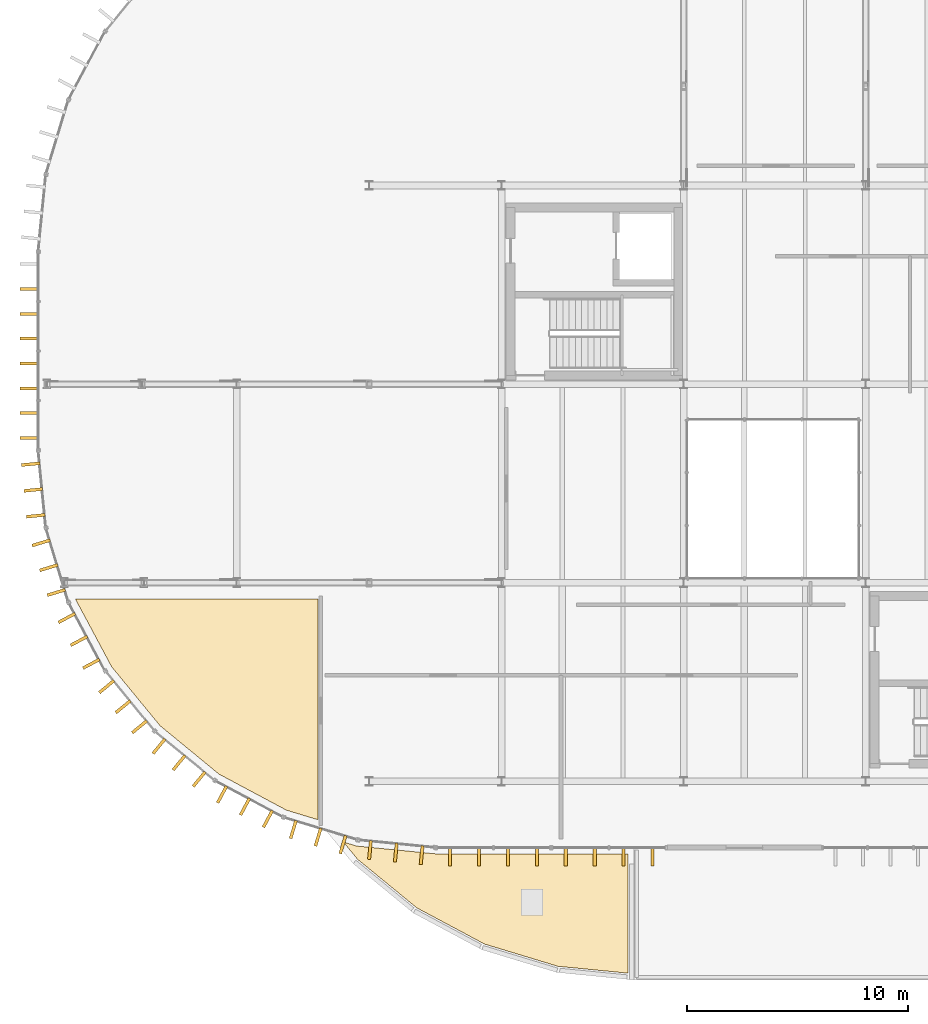
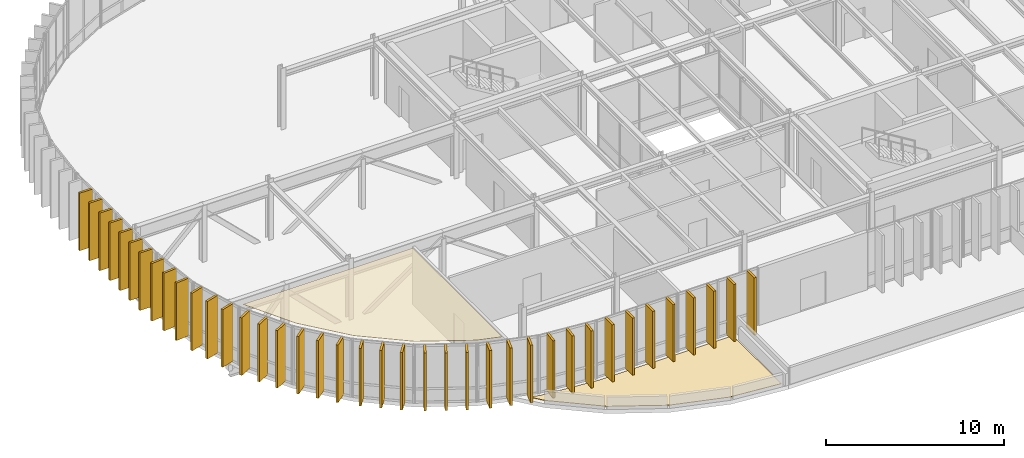
# One storey, part 25 of 29: 41 coverings.
"""IFC4 building model written with IfcOpenShell, lengths in metres."""

from ifc_helpers import new_model, si_unit, direction, frame, origin, origin_2d, place, context, subcontext, project, spatial, polyline, rectangle, outline, extrude, material, layer, layer_set, type_object, element, save


model = new_model("IFC4")

# Units and contexts
model_context = context("Model", 3, precision=1e-05, world=origin(), true_north=direction((0.0, 1.0)))
body_context = subcontext(model_context, "Body", "Model", "MODEL_VIEW")
ifc_project = project(units=[si_unit("LENGTHUNIT", "METRE"), si_unit("AREAUNIT", "SQUARE_METRE"), si_unit("VOLUMEUNIT", "CUBIC_METRE"), si_unit("PLANEANGLEUNIT", "RADIAN"), si_unit("MASSUNIT", "GRAM", prefix="KILO")], contexts=[model_context])

# Site, building, storey
site_placement = place(None, origin())
site = spatial("IfcSite", under=ifc_project, at=site_placement, CompositionType="ELEMENT")
building_placement = place(site_placement, origin())
building = spatial("IfcBuilding", under=site, at=building_placement, Name="Montealbar Specialist Clinic", CompositionType="ELEMENT")
storey_placement = place(building_placement, frame((0.0, 0.0, 22.199951171875)))
storey = spatial("IfcBuildingStorey", under=building, at=storey_placement, Name="L05", CompositionType="ELEMENT", Elevation=22.199951171875)

# Coverings
ifc_material_1 = material(Name="Hygienic acoustic ceiling tile", Category="gypsum")
ifc_layer_1 = layer(ifc_material_1, 0.02490234375, Name="Hygienic acoustic ceiling tile", Category="gypsum")
ifc_layer_set_1 = layer_set([ifc_layer_1], Name="Hygienic acoustic ceiling tile")
covering_type_1 = type_object("IfcCoveringType", Name="COV-CEIL-ACOUSTIC", PredefinedType="CEILING", material=ifc_layer_set_1)
covering_1_placement = place(storey_placement, frame((0.0, 0.0, 3.9150390625)))
element("IfcCovering", 1, at=covering_1_placement, inside=storey, type_object=covering_type_1, Name="Hygienic Acoustic Ceiling Biostatistics & Quantitative Imaging Research Studio", PredefinedType="CEILING", context=body_context, shape_type="SweptSolid", body=[
    extrude(outline(polyline([(48.325927734375, 14.195068359375), (46.695068359375, 17.2470703125), (46.68798828125, 17.27001953125), (57.669921875, 17.27001953125), (57.669921875, 7.262939453125), (56.2470703125, 7.695068359375), (53.195068359375, 9.325927734375), (50.52099609375, 11.52099609375), (48.325927734375, 14.195068359375)])), origin(), (0.0, 0.0, 1.0), 0.02490234375),
])
ifc_material_2 = material(Name="Thermally modified timber cladding", Category="wood")
ifc_layer_2 = layer(ifc_material_2, 0.139892578125, Name="Thermally modified timber cladding", Category="wood")
ifc_layer_set_2 = layer_set([ifc_layer_2], Name="Thermally modified timber cladding")
covering_type_2 = type_object("IfcCoveringType", Name="COV-FIN-TIMBER-850", PredefinedType="CLADDING", material=ifc_layer_set_2)
for number, where, z_axis, x_axis, name in (
    (2, (44.60009765625, 24.56201171875, 0.0), (0.0, 0.0, 1.0), (-1.0, 0.0, 0.0), "Vertical Timber Solar Fin CF-L05-0380"),
    (3, (44.60009765625, 25.68798828125, 0.0), (0.0, 0.0, 1.0), (-1.0, 0.0, 0.0), "Vertical Timber Solar Fin CF-L05-0381"),
    (4, (44.60009765625, 26.81201171875, 0.0), (0.0, 0.0, 1.0), (-1.0, 0.0, 0.0), "Vertical Timber Solar Fin CF-L05-0382"),
    (5, (44.60009765625, 27.93798828125, 0.0), (0.0, 0.0, 1.0), (-1.0, 0.0, 0.0), "Vertical Timber Solar Fin CF-L05-0383"),
    (6, (44.60009765625, 29.06201171875, 0.0), (0.0, 0.0, 1.0), (-1.0, 0.0, 0.0), "Vertical Timber Solar Fin CF-L05-0384"),
    (7, (44.60009765625, 30.18798828125, 0.0), (0.0, 0.0, 1.0), (-1.0, 0.0, 0.0), "Vertical Timber Solar Fin CF-L05-0385"),
    (8, (44.60009765625, 31.31201171875, 0.0), (0.0, 0.0, 1.0), (-1.0, 0.0, 0.0), "Vertical Timber Solar Fin CF-L05-0386"),
    (9, (63.656005859375, 5.60009765625, 0.0), (0.0, 0.0, 1.0), (0.0, -1.0, 0.0), "Vertical Timber Solar Fin CF-L05-0445"),
    (10, (64.968994140625, 5.60009765625, 0.0), (0.0, 0.0, 1.0), (0.0, -1.0, 0.0), "Vertical Timber Solar Fin CF-L05-0446"),
    (11, (66.281005859375, 5.60009765625, 0.0), (0.0, 0.0, 1.0), (0.0, -1.0, 0.0), "Vertical Timber Solar Fin CF-L05-0447"),
    (12, (67.593994140625, 5.60009765625, 0.0), (0.0, 0.0, 1.0), (0.0, -1.0, 0.0), "Vertical Timber Solar Fin CF-L05-0448"),
    (13, (68.906005859375, 5.60009765625, 0.0), (0.0, 0.0, 1.0), (0.0, -1.0, 0.0), "Vertical Timber Solar Fin CF-L05-0449"),
    (14, (70.218994140625, 5.60009765625, 0.0), (0.0, 0.0, 1.0), (0.0, -1.0, 0.0), "Vertical Timber Solar Fin CF-L05-0450"),
    (15, (71.531005859375, 5.60009765625, 0.0), (0.0, 0.0, 1.0), (0.0, -1.0, 0.0), "Vertical Timber Solar Fin CF-L05-0451"),
    (16, (72.843994140625, 5.60009765625, 0.0), (0.0, 0.0, 1.0), (0.0, -1.0, 0.0), "Vertical Timber Solar Fin CF-L05-0452"),
    (17, (62.375, 5.659912109375, 0.0), (0.0, 0.0, 1.0), (-0.098044697094, -0.995182012183, 0.0), "Vertical Timber Solar Fin CF-L05-0463"),
    (18, (61.205078125, 5.77490234375, 0.0), (0.0, 0.0, 1.0), (-0.098044697094, -0.995182012183, 0.0), "Vertical Timber Solar Fin CF-L05-0464"),
    (19, (60.033935546875, 5.889892578125, 0.0), (0.0, 0.0, 1.0), (-0.098044697094, -0.995182012183, 0.0), "Vertical Timber Solar Fin CF-L05-0465"),
    (20, (58.80908203125, 6.134033203125, 0.0), (0.0, 0.0, 1.0), (-0.290259134399, -0.956948083701, 0.0), "Vertical Timber Solar Fin CF-L05-0466"),
    (21, (57.68408203125, 6.47509765625, 0.0), (0.0, 0.0, 1.0), (-0.290259134399, -0.956948083701, 0.0), "Vertical Timber Solar Fin CF-L05-0467"),
    (22, (56.55908203125, 6.81689453125, 0.0), (0.0, 0.0, 1.0), (-0.290259134399, -0.956948083701, 0.0), "Vertical Timber Solar Fin CF-L05-0468"),
    (23, (55.405029296875, 7.294921875, 0.0), (0.0, 0.0, 1.0), (-0.471529268958, -0.881850411644, 0.0), "Vertical Timber Solar Fin CF-L05-0469"),
    (24, (54.366943359375, 7.84912109375, 0.0), (0.0, 0.0, 1.0), (-0.471529268958, -0.881850411644, 0.0), "Vertical Timber Solar Fin CF-L05-0470"),
    (25, (53.330078125, 8.404052734375, 0.0), (0.0, 0.0, 1.0), (-0.471529268958, -0.881850411644, 0.0), "Vertical Timber Solar Fin CF-L05-0471"),
    (26, (52.2919921875, 9.097900390625, 0.0), (0.0, 0.0, 1.0), (-0.634255808922, -0.773123255923, 0.0), "Vertical Timber Solar Fin CF-L05-0472"),
    (27, (51.382080078125, 9.843994140625, 0.0), (0.0, 0.0, 1.0), (-0.634255808922, -0.773123255923, 0.0), "Vertical Timber Solar Fin CF-L05-0473"),
    (28, (50.472900390625, 10.590087890625, 0.0), (0.0, 0.0, 1.0), (-0.634255808922, -0.773123255923, 0.0), "Vertical Timber Solar Fin CF-L05-0474"),
    (29, (49.590087890625, 11.472900390625, 0.0), (0.0, 0.0, 1.0), (-0.773123255923, -0.634255808922, 0.0), "Vertical Timber Solar Fin CF-L05-0475"),
    (30, (48.843994140625, 12.382080078125, 0.0), (0.0, 0.0, 1.0), (-0.773123255923, -0.634255808922, 0.0), "Vertical Timber Solar Fin CF-L05-0476"),
    (31, (48.097900390625, 13.2919921875, 0.0), (0.0, 0.0, 1.0), (-0.773123255923, -0.634255808922, 0.0), "Vertical Timber Solar Fin CF-L05-0477"),
    (32, (47.404052734375, 14.330078125, 0.0), (0.0, 0.0, 1.0), (-0.881850411644, -0.471529268958, 0.0), "Vertical Timber Solar Fin CF-L05-0478"),
    (33, (46.84912109375, 15.366943359375, 0.0), (0.0, 0.0, 1.0), (-0.881850411644, -0.471529268958, 0.0), "Vertical Timber Solar Fin CF-L05-0479"),
    (34, (46.294921875, 16.405029296875, 0.0), (0.0, 0.0, 1.0), (-0.881850411644, -0.471529268958, 0.0), "Vertical Timber Solar Fin CF-L05-0480"),
    (35, (45.81689453125, 17.55908203125, 0.0), (0.0, 0.0, 1.0), (-0.956948083701, -0.290259134399, 0.0), "Vertical Timber Solar Fin CF-L05-0481"),
    (36, (45.47509765625, 18.68408203125, 0.0), (0.0, 0.0, 1.0), (-0.956948083701, -0.290259134399, 0.0), "Vertical Timber Solar Fin CF-L05-0482"),
    (37, (45.134033203125, 19.80908203125, 0.0), (0.0, 0.0, 1.0), (-0.956948083701, -0.290259134399, 0.0), "Vertical Timber Solar Fin CF-L05-0483"),
    (38, (44.889892578125, 21.033935546875, 0.0), (0.0, 0.0, 1.0), (-0.995182012183, -0.098044697094, 0.0), "Vertical Timber Solar Fin CF-L05-0484"),
    (39, (44.77490234375, 22.205078125, 0.0), (0.0, 0.0, 1.0), (-0.995182012183, -0.098044697094, 0.0), "Vertical Timber Solar Fin CF-L05-0485"),
    (40, (44.659912109375, 23.375, 0.0), (0.0, 0.0, 1.0), (-0.995182012183, -0.098044697094, 0.0), "Vertical Timber Solar Fin CF-L05-0486"),
):
    element("IfcCovering", number, at=place(storey_placement, frame(where, z_axis=z_axis, x_axis=x_axis)), inside=storey, type_object=covering_type_2, Name=name, PredefinedType="CLADDING", context=body_context, shape_type="SweptSolid", body=[
        extrude(rectangle(XDim=0.85009765625, YDim=0.139892578125, at=origin_2d()), origin(), (0.0, 0.0, 1.0), 3.93994140625),
    ])
ifc_material_3 = material(Name="Weatherproof roofing membrane", Category="concrete")
ifc_layer_3 = layer(ifc_material_3, 0.030029296875, Name="Weatherproof roofing membrane", Category="concrete")
ifc_layer_set_3 = layer_set([ifc_layer_3], Name="Weatherproof roofing membrane")
covering_type_3 = type_object("IfcCoveringType", Name="COV-ROOF-MEMB", PredefinedType="ROOFING", material=ifc_layer_set_3)
covering_2_placement = place(storey_placement, origin())
element("IfcCovering", 41, at=covering_2_placement, inside=storey, type_object=covering_type_3, Name="Weatherproof Roof Membrane ROOF-L05-03", PredefinedType="ROOFING", context=body_context, shape_type="SweptSolid", body=[
    extrude(outline(polyline([(68.54296875, 0.6220703125), (65.219970703125, 1.6298828125), (62.156005859375, 3.26806640625), (59.470947265625, 5.470947265625), (58.8291015625, 6.2529296875), (59.406982421875, 6.077880859375), (59.43310546875, 6.071044921875), (59.4609375, 6.06689453125), (62.972900390625, 5.720947265625), (63.0, 5.719970703125), (71.719970703125, 5.719970703125), (71.719970703125, 0.30908203125), (68.54296875, 0.6220703125)])), origin(), (0.0, 0.0, 1.0), 0.030029296875),
])

save(model, "model.ifc")
